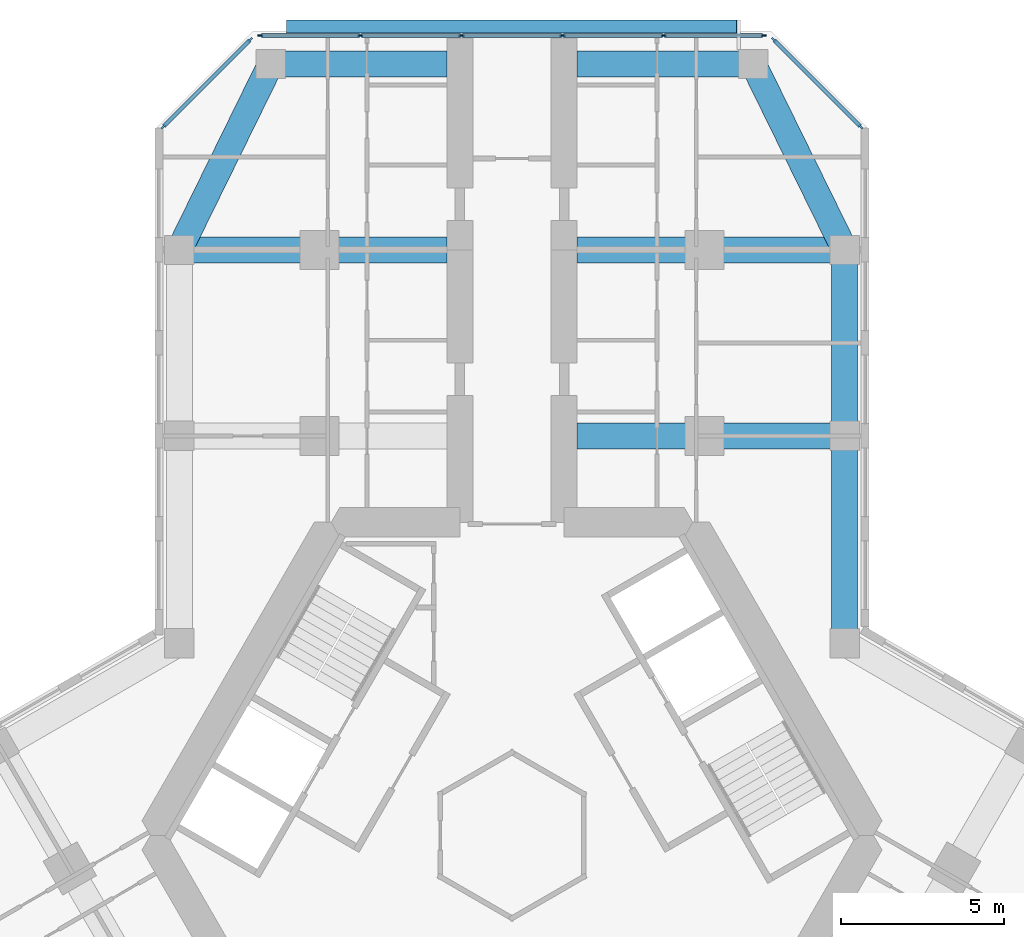
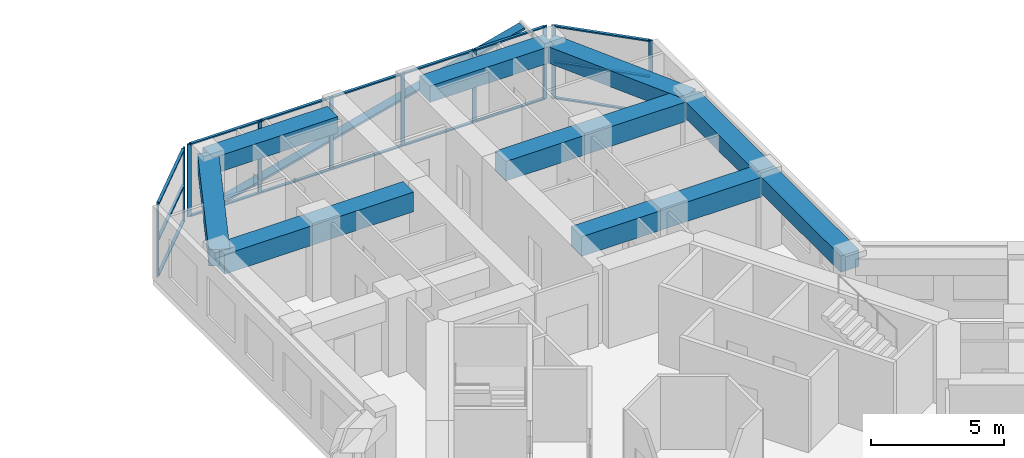
# One storey, part 7 of 20: 27 members, 9 beams, 3 elements without a shape of their own.
"""IFC4 building model written with IfcOpenShell, lengths in metres."""

from ifc_helpers import new_model, si_unit, direction, frame, origin, origin_2d, place, context, subcontext, project, spatial, rectangle, extrude, material, material_profile, profile_set, type_object, element, aggregate, save


model = new_model("IFC4")

# Units and contexts
model_context = context("Model", 3, precision=1e-05, world=origin(), true_north=direction((0.0, 1.0)))
body_context = subcontext(model_context, "Body", "Model", "MODEL_VIEW")
ifc_project = project(units=[si_unit("LENGTHUNIT", "METRE"), si_unit("AREAUNIT", "SQUARE_METRE"), si_unit("VOLUMEUNIT", "CUBIC_METRE"), si_unit("PLANEANGLEUNIT", "RADIAN"), si_unit("MASSUNIT", "GRAM", prefix="KILO")], contexts=[model_context])

# Site, building, storey
site_placement = place(None, origin())
site = spatial("IfcSite", under=ifc_project, at=site_placement, CompositionType="ELEMENT")
building_placement = place(site_placement, origin())
building = spatial("IfcBuilding", under=site, at=building_placement, Name="Kosmar Iwan School Tower", CompositionType="ELEMENT")
storey_placement = place(building_placement, frame((0.0, 0.0, 179.60009765625)))
storey = spatial("IfcBuildingStorey", under=building, at=storey_placement, Name="L45", CompositionType="ELEMENT", Elevation=179.60009765625)

# Member
ifc_material_1 = material(Name="Black anodised aluminium", Category="aluminium")
ifc_material_profile_1 = material_profile(ifc_material_1, rectangle(XDim=0.10009765625, YDim=0.39990234375, at=origin_2d()), Name="FIN 100x400")
ifc_profile_set_1 = profile_set([ifc_material_profile_1], Name="Black anodised aluminium")
member_type_1 = type_object("IfcMemberType", Name="Diagonal fin 100x400", PredefinedType="USERDEFINED", material=ifc_profile_set_1)
member_1_placement = place(storey_placement, frame((-6.898193359375, 24.800048828125, -0.150146484375), z_axis=(0.967599450335, 0.0, 0.252490205179), x_axis=(-0.252490205179, 0.0, 0.967599450335)))
element("IfcMember", 1, at=member_1_placement, inside=storey, type_object=member_type_1, Name="Diagonal fin L45-F08", ObjectType="FIN", PredefinedType="USERDEFINED", context=body_context, shape_type="SweptSolid", body=[
    extrude(rectangle(XDim=0.10009765625, YDim=0.39990234375, at=origin_2d()), origin(), (0.0, 0.0, 1.0), 14.25830078125),
])

# Curtain wall, members
ifc_material_2 = material(Name="Dark glass in black aluminium frame", Category="aluminium")
curtain_wall_type_1 = type_object("IfcCurtainWallType", Name="Chamfer curtain wall dark glass", PredefinedType="USERDEFINED", material=ifc_material_2)
curtain_wall_1_placement = place(storey_placement, origin())
curtain_wall_1 = element("IfcCurtainWall", 2, at=curtain_wall_1_placement, inside=storey, type_object=curtain_wall_type_1, Name="Curtain wall L45-F07", ObjectType="FACETED CURTAIN WALL", PredefinedType="USERDEFINED")
ifc_material_3 = material(Name="Black anodised aluminium", Category="aluminium")
ifc_material_profile_2 = material_profile(ifc_material_3, rectangle(XDim=0.06005859375, YDim=0.159912109375, at=origin_2d()), Name="MULLION 60x160")
ifc_profile_set_2 = profile_set([ifc_material_profile_2], Name="Black anodised aluminium")
member_type_2 = type_object("IfcMemberType", Name="Mullion 60x160", PredefinedType="MULLION", material=ifc_profile_set_2)
member_2_placement = place(storey_placement, frame((10.69775390625, 21.7255859375, 0.0), z_axis=(0.0, 0.0, 1.0), x_axis=(-0.707106781187, -0.707106781187, 0.0)))
member_2 = element("IfcMember", 3, at=member_2_placement, type_object=member_type_2, Name="CW2 mullion 1", PredefinedType="MULLION", context=body_context, shape_type="SweptSolid", body=[
    extrude(rectangle(XDim=0.06005859375, YDim=0.159912109375, at=origin_2d()), origin(), (0.0, 0.0, 1.0), 3.349853515625),
])
member_3_placement = place(storey_placement, frame((8.025390625, 24.397705078125, 0.0), z_axis=(0.0, 0.0, 1.0), x_axis=(-0.707106781187, -0.707106781187, 0.0)))
member_3 = element("IfcMember", 4, at=member_3_placement, type_object=member_type_2, Name="CW2 mullion 2", PredefinedType="MULLION", context=body_context, shape_type="SweptSolid", body=[
    extrude(rectangle(XDim=0.06005859375, YDim=0.159912109375, at=origin_2d()), origin(), (0.0, 0.0, 1.0), 3.349853515625),
])

ifc_material_4 = material(Name="Dark glass in black aluminium frame", Category="aluminium")
curtain_wall_type_2 = type_object("IfcCurtainWallType", Name="Tower curtain wall dark glass", PredefinedType="USERDEFINED", material=ifc_material_4)
curtain_wall_2_placement = place(storey_placement, origin())
curtain_wall_2 = element("IfcCurtainWall", 5, at=curtain_wall_2_placement, inside=storey, type_object=curtain_wall_type_2, Name="Curtain wall L45-F08", ObjectType="UNITISED CURTAIN WALL", PredefinedType="USERDEFINED")
member_4_placement = place(storey_placement, frame((7.71826171875, 24.52490234375, 0.0), z_axis=(0.0, 0.0, 1.0), x_axis=(0.0, -1.0, 0.0)))
member_4 = element("IfcMember", 6, at=member_4_placement, type_object=member_type_2, Name="CW1 mullion 1", PredefinedType="MULLION", context=body_context, shape_type="SweptSolid", body=[
    extrude(rectangle(XDim=0.06005859375, YDim=0.159912109375, at=origin_2d()), origin(), (0.0, 0.0, 1.0), 3.349853515625),
])
member_5_placement = place(storey_placement, frame((4.64892578125, 24.52490234375, 0.0), z_axis=(0.0, 0.0, 1.0), x_axis=(0.0, -1.0, 0.0)))
member_5 = element("IfcMember", 7, at=member_5_placement, type_object=member_type_2, Name="CW1 mullion 2", PredefinedType="MULLION", context=body_context, shape_type="SweptSolid", body=[
    extrude(rectangle(XDim=0.06005859375, YDim=0.159912109375, at=origin_2d()), origin(), (0.0, 0.0, 1.0), 3.349853515625),
])
member_6_placement = place(storey_placement, frame((1.549560546875, 24.52490234375, 0.0), z_axis=(0.0, 0.0, 1.0), x_axis=(0.0, -1.0, 0.0)))
member_6 = element("IfcMember", 8, at=member_6_placement, type_object=member_type_2, Name="CW1 mullion 3", PredefinedType="MULLION", context=body_context, shape_type="SweptSolid", body=[
    extrude(rectangle(XDim=0.06005859375, YDim=0.159912109375, at=origin_2d()), origin(), (0.0, 0.0, 1.0), 3.349853515625),
])
member_7_placement = place(storey_placement, frame((-1.549560546875, 24.52490234375, 0.0), z_axis=(0.0, 0.0, 1.0), x_axis=(0.0, -1.0, 0.0)))
member_7 = element("IfcMember", 9, at=member_7_placement, type_object=member_type_2, Name="CW1 mullion 4", PredefinedType="MULLION", context=body_context, shape_type="SweptSolid", body=[
    extrude(rectangle(XDim=0.06005859375, YDim=0.159912109375, at=origin_2d()), origin(), (0.0, 0.0, 1.0), 3.349853515625),
])
member_8_placement = place(storey_placement, frame((-4.64892578125, 24.52490234375, 0.0), z_axis=(0.0, 0.0, 1.0), x_axis=(0.0, -1.0, 0.0)))
member_8 = element("IfcMember", 10, at=member_8_placement, type_object=member_type_2, Name="CW1 mullion 5", PredefinedType="MULLION", context=body_context, shape_type="SweptSolid", body=[
    extrude(rectangle(XDim=0.06005859375, YDim=0.159912109375, at=origin_2d()), origin(), (0.0, 0.0, 1.0), 3.349853515625),
])
member_9_placement = place(storey_placement, frame((-7.71826171875, 24.52490234375, 0.0), z_axis=(0.0, 0.0, 1.0), x_axis=(0.0, -1.0, 0.0)))
member_9 = element("IfcMember", 11, at=member_9_placement, type_object=member_type_2, Name="CW1 mullion 6", PredefinedType="MULLION", context=body_context, shape_type="SweptSolid", body=[
    extrude(rectangle(XDim=0.06005859375, YDim=0.159912109375, at=origin_2d()), origin(), (0.0, 0.0, 1.0), 3.349853515625),
])

curtain_wall_3_placement = place(storey_placement, origin())
curtain_wall_3 = element("IfcCurtainWall", 12, at=curtain_wall_3_placement, inside=storey, type_object=curtain_wall_type_1, Name="Curtain wall L45-F09", ObjectType="FACETED CURTAIN WALL", PredefinedType="USERDEFINED")
member_10_placement = place(storey_placement, frame((-8.025390625, 24.397705078125, 0.0), z_axis=(0.0, 0.0, 1.0), x_axis=(0.707106781187, -0.707106781187, 0.0)))
member_10 = element("IfcMember", 13, at=member_10_placement, type_object=member_type_2, Name="CW2 mullion 1", PredefinedType="MULLION", context=body_context, shape_type="SweptSolid", body=[
    extrude(rectangle(XDim=0.06005859375, YDim=0.159912109375, at=origin_2d()), origin(), (0.0, 0.0, 1.0), 3.349853515625),
])
member_11_placement = place(storey_placement, frame((-10.69775390625, 21.7255859375, 0.0), z_axis=(0.0, 0.0, 1.0), x_axis=(0.707106781187, -0.707106781187, 0.0)))
member_11 = element("IfcMember", 14, at=member_11_placement, type_object=member_type_2, Name="CW2 mullion 2", PredefinedType="MULLION", context=body_context, shape_type="SweptSolid", body=[
    extrude(rectangle(XDim=0.06005859375, YDim=0.159912109375, at=origin_2d()), origin(), (0.0, 0.0, 1.0), 3.349853515625),
])

# Beams
ifc_material_5 = material(Name="Concrete C50/60", Category="concrete")
ifc_material_profile_3 = material_profile(ifc_material_5, rectangle(XDim=0.800048828125, YDim=0.75, at=origin_2d()), Name="RC 800x750")
ifc_profile_set_3 = profile_set([ifc_material_profile_3], Name="Concrete C50/60")
beam_type_1 = type_object("IfcBeamType", Name="RC edge beam 800x750", PredefinedType="BEAM", material=ifc_profile_set_3)
beam_1_placement = place(storey_placement, frame((10.199951171875, 5.888916015625, 2.974853515625), z_axis=(0.0, 1.0, 0.0), x_axis=(-1.0, 0.0, 0.0)))
element("IfcBeam", 15, at=beam_1_placement, inside=storey, type_object=beam_type_1, Name="Edge beam AR1", PredefinedType="BEAM", context=body_context, shape_type="SweptSolid", body=[
    extrude(rectangle(XDim=0.800048828125, YDim=0.75, at=origin_2d()), origin(), (0.0, 0.0, 1.0), 6.361083984375),
])
beam_2_placement = place(storey_placement, frame((10.199951171875, 12.25, 2.974853515625), z_axis=(0.0, 1.0, 0.0), x_axis=(-1.0, 0.0, 0.0)))
element("IfcBeam", 16, at=beam_2_placement, inside=storey, type_object=beam_type_1, Name="Edge beam AR2", PredefinedType="BEAM", context=body_context, shape_type="SweptSolid", body=[
    extrude(rectangle(XDim=0.800048828125, YDim=0.75, at=origin_2d()), origin(), (0.0, 0.0, 1.0), 5.699951171875),
])
ifc_material_6 = material(Name="Concrete C50/60", Category="concrete")
ifc_material_profile_4 = material_profile(ifc_material_6, rectangle(XDim=0.800048828125, YDim=0.75, at=origin_2d()), Name="RC 800x750")
ifc_profile_set_4 = profile_set([ifc_material_profile_4], Name="Concrete C50/60")
beam_type_2 = type_object("IfcBeamType", Name="RC tip beam 800x750", PredefinedType="BEAM", material=ifc_profile_set_4)
beam_3_placement = place(storey_placement, frame((-10.199951171875, 17.949951171875, 2.974853515625), z_axis=(0.440913116462, 0.897549788999, 0.0), x_axis=(-0.897549788999, 0.440913116462, 0.0)))
element("IfcBeam", 17, at=beam_3_placement, inside=storey, type_object=beam_type_2, Name="Tip beam AL", PredefinedType="BEAM", context=body_context, shape_type="SweptSolid", body=[
    extrude(rectangle(XDim=0.800048828125, YDim=0.75, at=origin_2d()), origin(), (0.0, 0.0, 1.0), 6.3505859375),
])
beam_4_placement = place(storey_placement, frame((-7.39990234375, 23.64990234375, 2.974853515625), z_axis=(1.0, 0.0, 0.0), x_axis=(0.0, 1.0, 0.0)))
element("IfcBeam", 18, at=beam_4_placement, inside=storey, type_object=beam_type_2, Name="Tip beam AL to corridor wall", PredefinedType="BEAM", context=body_context, shape_type="SweptSolid", body=[
    extrude(rectangle(XDim=0.800048828125, YDim=0.75, at=origin_2d()), origin(), (0.0, 0.0, 1.0), 5.39990234375),
])
beam_5_placement = place(storey_placement, frame((10.199951171875, 17.949951171875, 2.974853515625), z_axis=(-0.440913116462, 0.897549788999, 0.0), x_axis=(-0.897549788999, -0.440913116462, 0.0)))
element("IfcBeam", 19, at=beam_5_placement, inside=storey, type_object=beam_type_2, Name="Tip beam AR", PredefinedType="BEAM", context=body_context, shape_type="SweptSolid", body=[
    extrude(rectangle(XDim=0.800048828125, YDim=0.75, at=origin_2d()), origin(), (0.0, 0.0, 1.0), 6.3505859375),
])
beam_6_placement = place(storey_placement, frame((7.39990234375, 23.64990234375, 2.974853515625), z_axis=(-1.0, 0.0, 0.0), x_axis=(0.0, -1.0, 0.0)))
element("IfcBeam", 20, at=beam_6_placement, inside=storey, type_object=beam_type_2, Name="Tip beam AR to corridor wall", PredefinedType="BEAM", context=body_context, shape_type="SweptSolid", body=[
    extrude(rectangle(XDim=0.800048828125, YDim=0.75, at=origin_2d()), origin(), (0.0, 0.0, 1.0), 5.39990234375),
])
ifc_material_7 = material(Name="Concrete C50/60", Category="concrete")
ifc_material_profile_5 = material_profile(ifc_material_7, rectangle(XDim=0.800048828125, YDim=0.89990234375, at=origin_2d()), Name="RC 800x900")
ifc_profile_set_5 = profile_set([ifc_material_profile_5], Name="Concrete C50/60")
beam_type_3 = type_object("IfcBeamType", Name="RC transverse beam 800x900", PredefinedType="BEAM", material=ifc_profile_set_5)
for number, where, z_axis, x_axis, name in (
    (21, (-10.199951171875, 17.949951171875, 2.89990234375), (1.0, 0.0, 0.0), (0.0, 1.0, 0.0), "Transverse beam AL2"),
    (22, (10.199951171875, 12.25, 2.89990234375), (-1.0, 0.0, 0.0), (0.0, -1.0, 0.0), "Transverse beam AR1"),
    (23, (10.199951171875, 17.949951171875, 2.89990234375), (-1.0, 0.0, 0.0), (0.0, -1.0, 0.0), "Transverse beam AR2"),
):
    element("IfcBeam", number, at=place(storey_placement, frame(where, z_axis=z_axis, x_axis=x_axis)), inside=storey, type_object=beam_type_3, Name=name, PredefinedType="BEAM", context=body_context, shape_type="SweptSolid", body=[
        extrude(rectangle(XDim=0.800048828125, YDim=0.89990234375, at=origin_2d()), origin(), (0.0, 0.0, 1.0), 8.199951171875),
    ])

# Member
ifc_material_8 = material(Name="Black anodised aluminium", Category="aluminium")
ifc_material_profile_6 = material_profile(ifc_material_8, rectangle(XDim=0.1201171875, YDim=0.06005859375, at=origin_2d()), Name="TRANSOM 60x120")
ifc_profile_set_6 = profile_set([ifc_material_profile_6], Name="Black anodised aluminium")
member_type_3 = type_object("IfcMemberType", Name="Transom 60x120", PredefinedType="USERDEFINED", material=ifc_profile_set_6)
member_12_placement = place(storey_placement, frame((10.676513671875, 21.746826171875, 0.02978515625), z_axis=(-0.707139603466, 0.707073957383, 0.0), x_axis=(-0.707073957383, -0.707139603466, 0.0)))
member_12 = element("IfcMember", 24, at=member_12_placement, type_object=member_type_3, Name="CW2 transom 1.1", ObjectType="TRANSOM", PredefinedType="USERDEFINED", context=body_context, shape_type="SweptSolid", body=[
    extrude(rectangle(XDim=0.1201171875, YDim=0.06005859375, at=origin_2d()), origin(), (0.0, 0.0, 1.0), 3.718994140625),
])

member_13_placement = place(storey_placement, frame((10.676513671875, 21.746826171875, 1.6748046875), z_axis=(-0.707139603466, 0.707073957383, 0.0), x_axis=(-0.707073957383, -0.707139603466, 0.0)))
member_13 = element("IfcMember", 25, at=member_13_placement, type_object=member_type_3, Name="CW2 transom 1.2", ObjectType="TRANSOM", PredefinedType="USERDEFINED", context=body_context, shape_type="SweptSolid", body=[
    extrude(rectangle(XDim=0.1201171875, YDim=0.06005859375, at=origin_2d()), origin(), (0.0, 0.0, 1.0), 3.718994140625),
])

member_14_placement = place(storey_placement, frame((10.676513671875, 21.746826171875, 3.31982421875), z_axis=(-0.707139603466, 0.707073957383, 0.0), x_axis=(-0.707073957383, -0.707139603466, 0.0)))
member_14 = element("IfcMember", 26, at=member_14_placement, type_object=member_type_3, Name="CW2 transom 1.3", ObjectType="TRANSOM", PredefinedType="USERDEFINED", context=body_context, shape_type="SweptSolid", body=[
    extrude(rectangle(XDim=0.1201171875, YDim=0.06005859375, at=origin_2d()), origin(), (0.0, 0.0, 1.0), 3.718994140625),
])

aggregate(curtain_wall_1, [member_2, member_3, member_12, member_13, member_14])

member_15_placement = place(storey_placement, frame((7.688232421875, 24.52490234375, 0.02978515625), z_axis=(-1.0, 0.0, 0.0), x_axis=(0.0, -1.0, 0.0)))
member_15 = element("IfcMember", 27, at=member_15_placement, type_object=member_type_3, Name="CW1 transom 1.1", ObjectType="TRANSOM", PredefinedType="USERDEFINED", context=body_context, shape_type="SweptSolid", body=[
    extrude(rectangle(XDim=0.1201171875, YDim=0.06005859375, at=origin_2d()), origin(), (0.0, 0.0, 1.0), 3.00927734375),
])

member_16_placement = place(storey_placement, frame((7.688232421875, 24.52490234375, 3.31982421875), z_axis=(-1.0, 0.0, 0.0), x_axis=(0.0, -1.0, 0.0)))
member_16 = element("IfcMember", 28, at=member_16_placement, type_object=member_type_3, Name="CW1 transom 1.2", ObjectType="TRANSOM", PredefinedType="USERDEFINED", context=body_context, shape_type="SweptSolid", body=[
    extrude(rectangle(XDim=0.1201171875, YDim=0.06005859375, at=origin_2d()), origin(), (0.0, 0.0, 1.0), 3.00927734375),
])

member_17_placement = place(storey_placement, frame((4.618896484375, 24.52490234375, 0.02978515625), z_axis=(-1.0, 0.0, 0.0), x_axis=(0.0, -1.0, 0.0)))
member_17 = element("IfcMember", 29, at=member_17_placement, type_object=member_type_3, Name="CW1 transom 2.1", ObjectType="TRANSOM", PredefinedType="USERDEFINED", context=body_context, shape_type="SweptSolid", body=[
    extrude(rectangle(XDim=0.1201171875, YDim=0.06005859375, at=origin_2d()), origin(), (0.0, 0.0, 1.0), 3.039306640625),
])

member_18_placement = place(storey_placement, frame((4.618896484375, 24.52490234375, 3.31982421875), z_axis=(-1.0, 0.0, 0.0), x_axis=(0.0, -1.0, 0.0)))
member_18 = element("IfcMember", 30, at=member_18_placement, type_object=member_type_3, Name="CW1 transom 2.2", ObjectType="TRANSOM", PredefinedType="USERDEFINED", context=body_context, shape_type="SweptSolid", body=[
    extrude(rectangle(XDim=0.1201171875, YDim=0.06005859375, at=origin_2d()), origin(), (0.0, 0.0, 1.0), 3.039306640625),
])

member_19_placement = place(storey_placement, frame((1.51953125, 24.52490234375, 0.02978515625), z_axis=(-1.0, 0.0, 0.0), x_axis=(0.0, -1.0, 0.0)))
member_19 = element("IfcMember", 31, at=member_19_placement, type_object=member_type_3, Name="CW1 transom 3.1", ObjectType="TRANSOM", PredefinedType="USERDEFINED", context=body_context, shape_type="SweptSolid", body=[
    extrude(rectangle(XDim=0.1201171875, YDim=0.06005859375, at=origin_2d()), origin(), (0.0, 0.0, 1.0), 3.0390625),
])

member_20_placement = place(storey_placement, frame((1.51953125, 24.52490234375, 3.31982421875), z_axis=(-1.0, 0.0, 0.0), x_axis=(0.0, -1.0, 0.0)))
member_20 = element("IfcMember", 32, at=member_20_placement, type_object=member_type_3, Name="CW1 transom 3.2", ObjectType="TRANSOM", PredefinedType="USERDEFINED", context=body_context, shape_type="SweptSolid", body=[
    extrude(rectangle(XDim=0.1201171875, YDim=0.06005859375, at=origin_2d()), origin(), (0.0, 0.0, 1.0), 3.0390625),
])

member_21_placement = place(storey_placement, frame((-1.57958984375, 24.52490234375, 0.02978515625), z_axis=(-1.0, 0.0, 0.0), x_axis=(0.0, -1.0, 0.0)))
member_21 = element("IfcMember", 33, at=member_21_placement, type_object=member_type_3, Name="CW1 transom 4.1", ObjectType="TRANSOM", PredefinedType="USERDEFINED", context=body_context, shape_type="SweptSolid", body=[
    extrude(rectangle(XDim=0.1201171875, YDim=0.06005859375, at=origin_2d()), origin(), (0.0, 0.0, 1.0), 3.039306640625),
])

member_22_placement = place(storey_placement, frame((-1.57958984375, 24.52490234375, 3.31982421875), z_axis=(-1.0, 0.0, 0.0), x_axis=(0.0, -1.0, 0.0)))
member_22 = element("IfcMember", 34, at=member_22_placement, type_object=member_type_3, Name="CW1 transom 4.2", ObjectType="TRANSOM", PredefinedType="USERDEFINED", context=body_context, shape_type="SweptSolid", body=[
    extrude(rectangle(XDim=0.1201171875, YDim=0.06005859375, at=origin_2d()), origin(), (0.0, 0.0, 1.0), 3.039306640625),
])

member_23_placement = place(storey_placement, frame((-4.678955078125, 24.52490234375, 0.02978515625), z_axis=(-1.0, 0.0, 0.0), x_axis=(0.0, -1.0, 0.0)))
member_23 = element("IfcMember", 35, at=member_23_placement, type_object=member_type_3, Name="CW1 transom 5.1", ObjectType="TRANSOM", PredefinedType="USERDEFINED", context=body_context, shape_type="SweptSolid", body=[
    extrude(rectangle(XDim=0.1201171875, YDim=0.06005859375, at=origin_2d()), origin(), (0.0, 0.0, 1.0), 3.00927734375),
])

member_24_placement = place(storey_placement, frame((-4.678955078125, 24.52490234375, 3.31982421875), z_axis=(-1.0, 0.0, 0.0), x_axis=(0.0, -1.0, 0.0)))
member_24 = element("IfcMember", 36, at=member_24_placement, type_object=member_type_3, Name="CW1 transom 5.2", ObjectType="TRANSOM", PredefinedType="USERDEFINED", context=body_context, shape_type="SweptSolid", body=[
    extrude(rectangle(XDim=0.1201171875, YDim=0.06005859375, at=origin_2d()), origin(), (0.0, 0.0, 1.0), 3.00927734375),
])

aggregate(curtain_wall_2, [member_4, member_5, member_6, member_7, member_8, member_9, member_15, member_16, member_17, member_18, member_19, member_20, member_21, member_22, member_23, member_24])

member_25_placement = place(storey_placement, frame((-8.046630859375, 24.37646484375, 0.02978515625), z_axis=(-0.707139603466, -0.707073957383, 0.0), x_axis=(0.707073957383, -0.707139603466, 0.0)))
member_25 = element("IfcMember", 37, at=member_25_placement, type_object=member_type_3, Name="CW2 transom 1.1", ObjectType="TRANSOM", PredefinedType="USERDEFINED", context=body_context, shape_type="SweptSolid", body=[
    extrude(rectangle(XDim=0.1201171875, YDim=0.06005859375, at=origin_2d()), origin(), (0.0, 0.0, 1.0), 3.718994140625),
])

member_26_placement = place(storey_placement, frame((-8.046630859375, 24.37646484375, 1.6748046875), z_axis=(-0.707139603466, -0.707073957383, 0.0), x_axis=(0.707073957383, -0.707139603466, 0.0)))
member_26 = element("IfcMember", 38, at=member_26_placement, type_object=member_type_3, Name="CW2 transom 1.2", ObjectType="TRANSOM", PredefinedType="USERDEFINED", context=body_context, shape_type="SweptSolid", body=[
    extrude(rectangle(XDim=0.1201171875, YDim=0.06005859375, at=origin_2d()), origin(), (0.0, 0.0, 1.0), 3.718994140625),
])

member_27_placement = place(storey_placement, frame((-8.046630859375, 24.37646484375, 3.31982421875), z_axis=(-0.707139603466, -0.707073957383, 0.0), x_axis=(0.707073957383, -0.707139603466, 0.0)))
member_27 = element("IfcMember", 39, at=member_27_placement, type_object=member_type_3, Name="CW2 transom 1.3", ObjectType="TRANSOM", PredefinedType="USERDEFINED", context=body_context, shape_type="SweptSolid", body=[
    extrude(rectangle(XDim=0.1201171875, YDim=0.06005859375, at=origin_2d()), origin(), (0.0, 0.0, 1.0), 3.718994140625),
])

aggregate(curtain_wall_3, [member_10, member_11, member_25, member_26, member_27])

save(model, "model.ifc")
